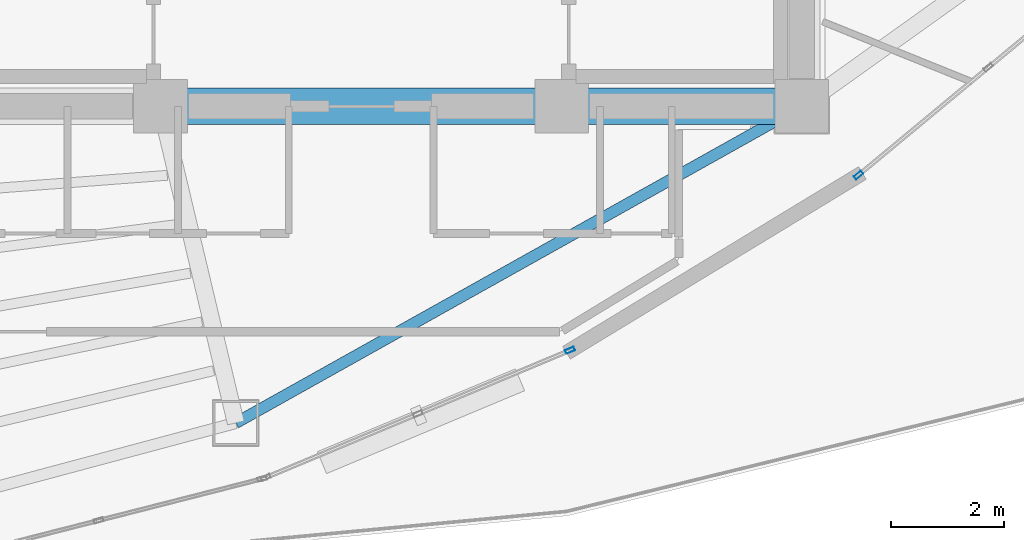
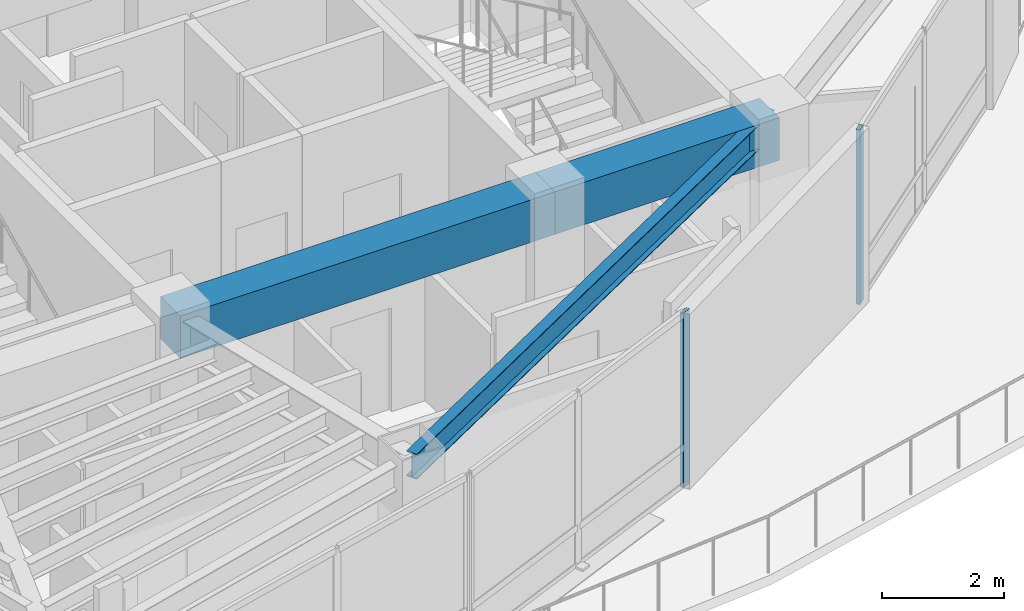
# One storey, part 5 of 16: 3 beams, 2 members, 2 elements without a shape of their own.
"""IFC4 building model written with IfcOpenShell, lengths in metres."""

from ifc_helpers import new_model, si_unit, direction, frame, origin, origin_2d, place, context, subcontext, project, spatial, rectangle, hollow_rectangle, i_section, extrude, material, layer, layer_set, material_profile, profile_set, type_object, element, aggregate, save


model = new_model("IFC4")

# Units and contexts
model_context = context("Model", 3, precision=1e-05, world=origin(), true_north=direction((0.0, 1.0)))
body_context = subcontext(model_context, "Body", "Model", "MODEL_VIEW")
ifc_project = project(units=[si_unit("LENGTHUNIT", "METRE"), si_unit("AREAUNIT", "SQUARE_METRE"), si_unit("VOLUMEUNIT", "CUBIC_METRE"), si_unit("PLANEANGLEUNIT", "RADIAN"), si_unit("MASSUNIT", "GRAM", prefix="KILO")], contexts=[model_context])

# Site, building, storey
site_placement = place(None, origin())
site = spatial("IfcSite", under=ifc_project, at=site_placement, CompositionType="ELEMENT")
building_placement = place(site_placement, origin())
building = spatial("IfcBuilding", under=site, at=building_placement, Name="Menara Vayukalpa", CompositionType="ELEMENT")
storey_placement = place(building_placement, frame((0.0, 0.0, 247.139892578125)))
storey = spatial("IfcBuildingStorey", under=building, at=storey_placement, Name="L62", CompositionType="ELEMENT", Elevation=247.139892578125)

# Beams
ifc_material_1 = material(Name="Concrete C60/75", Category="concrete")
ifc_material_profile_1 = material_profile(ifc_material_1, rectangle(XDim=0.64990234375, YDim=0.85009765625, at=origin_2d()), Name="RC 650x850")
ifc_profile_set_1 = profile_set([ifc_material_profile_1], Name="Concrete C60/75")
beam_type_1 = type_object("IfcBeamType", Name="BM-CB1", PredefinedType="BEAM", material=ifc_profile_set_1)
beam_1_placement = place(storey_placement, frame((22.050048828125, 17.199951171875, 3.0751953125), z_axis=(1.0, 0.0, 0.0), x_axis=(0.0, 1.0, 0.0)))
element("IfcBeam", 1, at=beam_1_placement, inside=storey, type_object=beam_type_1, Name="L62 Core Tie Beam CBR2", PredefinedType="BEAM", context=body_context, shape_type="SweptSolid", body=[
    extrude(rectangle(XDim=0.64990234375, YDim=0.85009765625, at=origin_2d()), origin(), (0.0, 0.0, 1.0), 7.099853515625),
])
beam_2_placement = place(storey_placement, frame((29.14990234375, 17.199951171875, 3.0751953125), z_axis=(1.0, 0.0, 0.0), x_axis=(0.0, 1.0, 0.0)))
element("IfcBeam", 2, at=beam_2_placement, inside=storey, type_object=beam_type_1, Name="L62 Core Tie Beam CBR3", PredefinedType="BEAM", context=body_context, shape_type="SweptSolid", body=[
    extrude(rectangle(XDim=0.64990234375, YDim=0.85009765625, at=origin_2d()), origin(), (0.0, 0.0, 1.0), 4.25),
])
ifc_material_2 = material(Name="Steel S355", Category="steel")
ifc_material_profile_2 = material_profile(ifc_material_2, i_section(OverallWidth=0.199951171875, OverallDepth=0.5, WebThickness=0.010009765625, FlangeThickness=0.01611328125, at=origin_2d()), Name="WF 500x200x10x16")
ifc_profile_set_2 = profile_set([ifc_material_profile_2], Name="Steel S355")
beam_type_2 = type_object("IfcBeamType", Name="BM-SP3", PredefinedType="SPANDREL", material=ifc_profile_set_2)
beam_3_placement = place(storey_placement, frame((23.3818359375, 11.59521484375, 3.25), z_axis=(0.87270577288, 0.48824648896, 0.0), x_axis=(-0.48824648896, 0.87270577288, 0.0)))
element("IfcBeam", 3, at=beam_3_placement, inside=storey, type_object=beam_type_2, Name="L62 Perimeter Spandrel Beam SP08", PredefinedType="SPANDREL", context=body_context, shape_type="SweptSolid", body=[
    extrude(i_section(OverallWidth=0.199951171875, OverallDepth=0.5, WebThickness=0.010009765625, FlangeThickness=0.01611328125, at=origin_2d()), origin(), (0.0, 0.0, 1.0), 11.479248046875),
])

# Curtain wall, member
ifc_material_3 = material(Name="Anodised Terracotta Aluminium Alloy 6063-T6", Category="masonry")
ifc_layer = layer(ifc_material_3, 0.1650390625)
ifc_layer_set = layer_set([ifc_layer], Name="Anodised Terracotta Aluminium Alloy 6063-T6")
curtain_wall_type = type_object("IfcCurtainWallType", Name="CW-CW6", PredefinedType="USERDEFINED", material=ifc_layer_set)
curtain_wall_1_placement = place(storey_placement, origin())
curtain_wall_1 = element("IfcCurtainWall", 4, at=curtain_wall_1_placement, inside=storey, type_object=curtain_wall_type, Name="L62 Observation and Executive Curtain Wall CW6 17", ObjectType="UNITISED", PredefinedType="USERDEFINED")
ifc_material_4 = material(Name="Anodised Terracotta Aluminium Alloy 6063-T6", Category="masonry")
ifc_material_profile_3 = material_profile(ifc_material_4, hollow_rectangle(XDim=0.070068359375, YDim=0.1650390625, WallThickness=0.00390625, at=origin_2d()), Name="ALU 70x165x4")
ifc_profile_set_3 = profile_set([ifc_material_profile_3], Name="Anodised Terracotta Aluminium Alloy 6063-T6")
member_type = type_object("IfcMemberType", Name="CWM-CW6", PredefinedType="MULLION", material=ifc_profile_set_3)
member_1_placement = place(storey_placement, frame((29.298828125, 12.881103515625, 0.0), z_axis=(0.0, 0.0, 1.0), x_axis=(-0.385899911703, 0.922540653927, 0.0)))
member_1 = element("IfcMember", 5, at=member_1_placement, type_object=member_type, Name="CW6 mullion 3", PredefinedType="MULLION", context=body_context, shape_type="SweptSolid", body=[
    extrude(hollow_rectangle(XDim=0.070068359375, YDim=0.1650390625, WallThickness=0.00390625, at=origin_2d()), origin(), (0.0, 0.0, 1.0), 3.5),
])
aggregate(curtain_wall_1, [member_1])

curtain_wall_2_placement = place(storey_placement, origin())
curtain_wall_2 = element("IfcCurtainWall", 6, at=curtain_wall_2_placement, inside=storey, type_object=curtain_wall_type, Name="L62 Observation and Executive Curtain Wall CW6 19", ObjectType="UNITISED", PredefinedType="USERDEFINED")
member_2_placement = place(storey_placement, frame((34.40673828125, 15.984130859375, 0.0), z_axis=(0.0, 0.0, 1.0), x_axis=(-0.638340177748, 0.769754387758, 0.0)))
member_2 = element("IfcMember", 7, at=member_2_placement, type_object=member_type, Name="CW6 mullion 1", PredefinedType="MULLION", context=body_context, shape_type="SweptSolid", body=[
    extrude(hollow_rectangle(XDim=0.070068359375, YDim=0.1650390625, WallThickness=0.00390625, at=origin_2d()), origin(), (0.0, 0.0, 1.0), 3.5),
])
aggregate(curtain_wall_2, [member_2])

save(model, "model.ifc")
